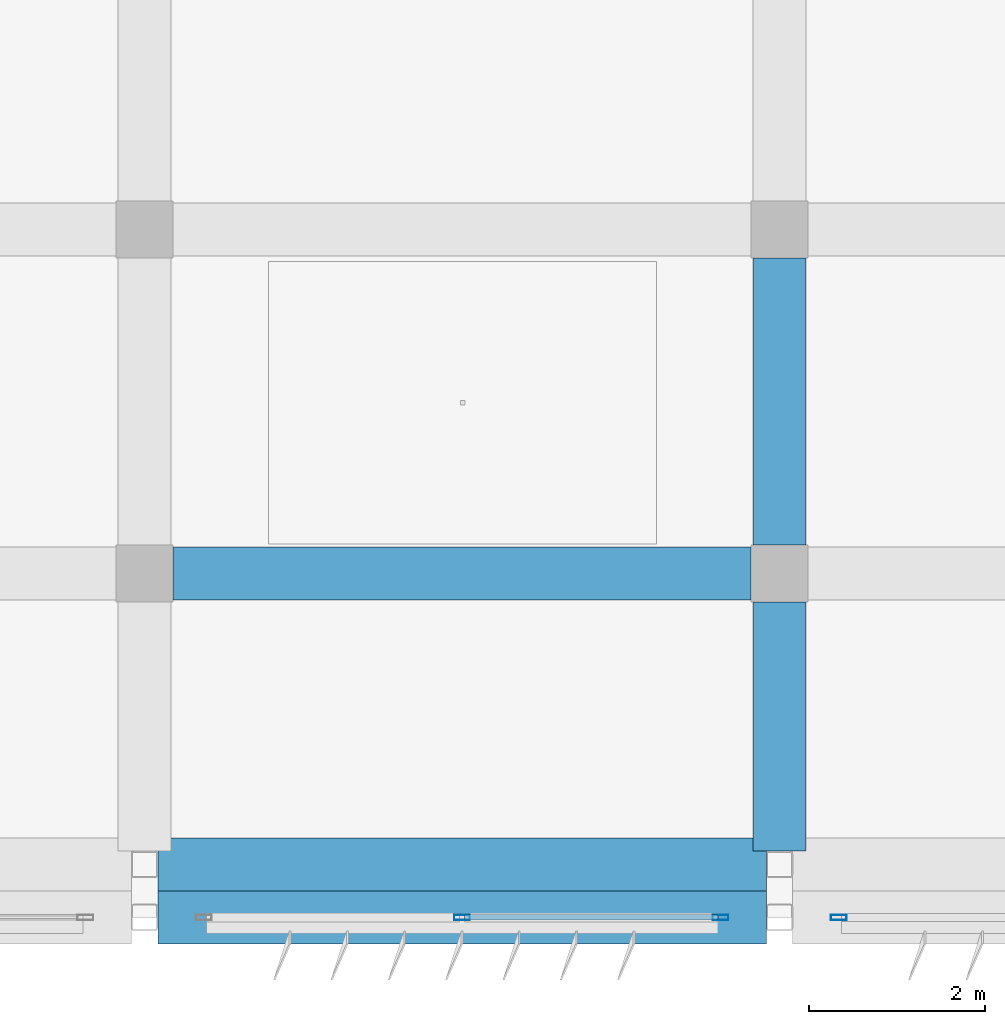
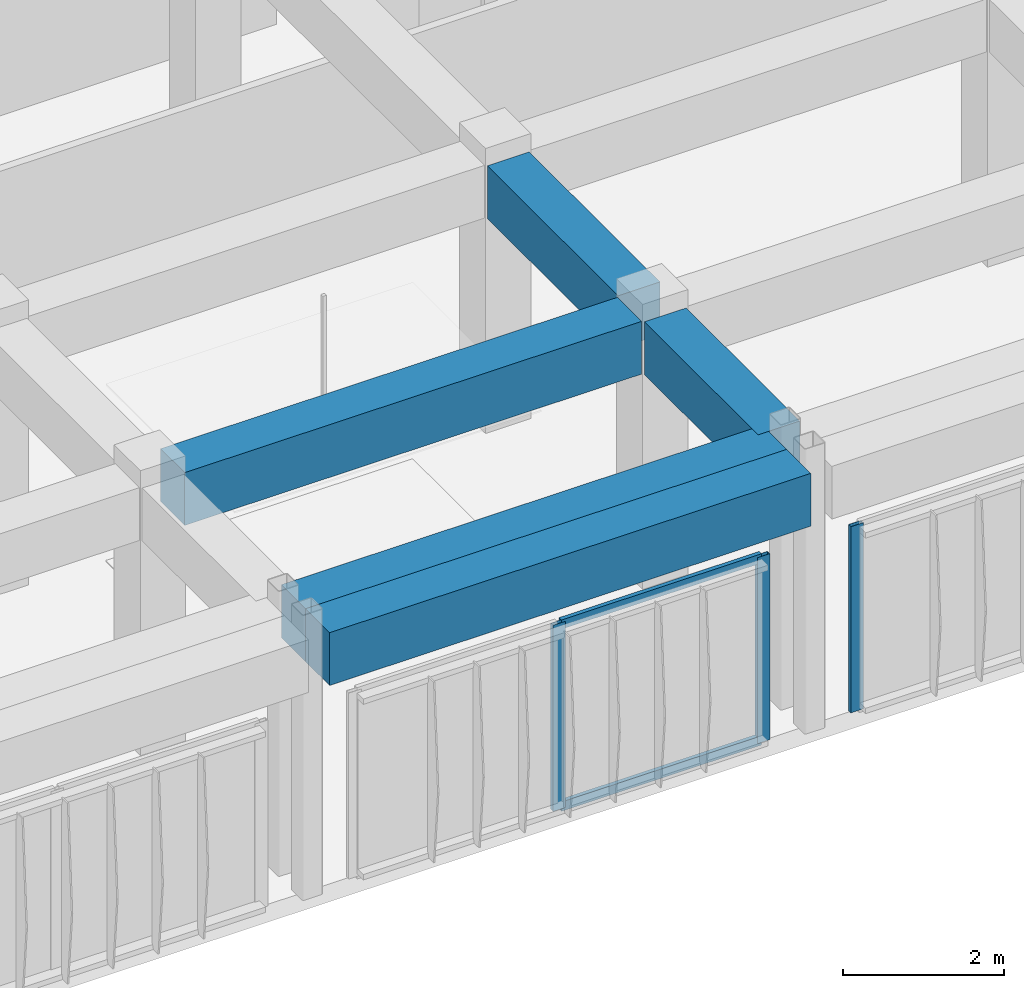
# One storey, part 4 of 53: 5 beams, 5 members, 2 elements without a shape of their own.
"""IFC4 building model written with IfcOpenShell, lengths in metres."""

from ifc_helpers import new_model, si_unit, direction, frame, origin, origin_2d, place, context, subcontext, project, spatial, rectangle, hollow_rectangle, extrude, material, material_profile, profile_set, type_object, element, aggregate, save


model = new_model("IFC4")

# Units and contexts
model_context = context("Model", 3, precision=1e-05, world=origin(), true_north=direction((0.0, 1.0)))
body_context = subcontext(model_context, "Body", "Model", "MODEL_VIEW")
ifc_project = project(units=[si_unit("LENGTHUNIT", "METRE"), si_unit("AREAUNIT", "SQUARE_METRE"), si_unit("VOLUMEUNIT", "CUBIC_METRE"), si_unit("PLANEANGLEUNIT", "RADIAN"), si_unit("MASSUNIT", "GRAM", prefix="KILO")], contexts=[model_context])

# Site, building, storey
site_placement = place(None, origin())
site = spatial("IfcSite", under=ifc_project, at=site_placement, CompositionType="ELEMENT")
building_placement = place(site_placement, origin())
building = spatial("IfcBuilding", under=site, at=building_placement, Name="Kazehaya Institute of Natural Sciences", CompositionType="ELEMENT")
storey_placement = place(building_placement, frame((0.0, 0.0, 33.300048828125)))
storey = spatial("IfcBuildingStorey", under=building, at=storey_placement, Name="L07", CompositionType="ELEMENT", Elevation=33.300048828125)

# Beams
ifc_material_1 = material(Name="Concrete Fc36", Category="concrete")
ifc_material_profile_1 = material_profile(ifc_material_1, rectangle(XDim=0.60009765625, YDim=0.800048828125, at=origin_2d()), Name="RC-600x800")
ifc_profile_set_1 = profile_set([ifc_material_profile_1], Name="Concrete Fc36")
beam_type = type_object("IfcBeamType", Name="BM-G-600x800", PredefinedType="BEAM", material=ifc_profile_set_1)
for number, where, z_axis, x_axis, name in (
    (1, (61.949951171875, 6.199951171875, 3.64990234375), (1.0, 0.0, 0.0), (0.0, 1.0, 0.0), "L07 primary X girder BMX-L07-618-62"),
    (2, (61.949951171875, 6.800048828125, 3.64990234375), (1.0, 0.0, 0.0), (0.0, 1.0, 0.0), "L07 primary X girder BMX-L07-618-68"),
):
    element("IfcBeam", number, at=place(storey_placement, frame(where, z_axis=z_axis, x_axis=x_axis)), inside=storey, type_object=beam_type, Name=name, PredefinedType="BEAM", context=body_context, shape_type="SweptSolid", body=[
        extrude(rectangle(XDim=0.60009765625, YDim=0.800048828125, at=origin_2d()), origin(), (0.0, 0.0, 1.0), 6.900146484375),
    ])
beam_1_placement = place(storey_placement, frame((62.125, 10.10009765625, 3.64990234375), z_axis=(1.0, 0.0, 0.0), x_axis=(0.0, 1.0, 0.0)))
element("IfcBeam", 3, at=beam_1_placement, inside=storey, type_object=beam_type, Name="L07 primary X girder BMX-L07-618-101", PredefinedType="BEAM", context=body_context, shape_type="SweptSolid", body=[
    extrude(rectangle(XDim=0.60009765625, YDim=0.800048828125, at=origin_2d()), origin(), (0.0, 0.0, 1.0), 6.550048828125),
])
beam_2_placement = place(storey_placement, frame((69.0, 6.949951171875, 3.64990234375), z_axis=(0.0, 1.0, 0.0), x_axis=(-1.0, 0.0, 0.0)))
element("IfcBeam", 4, at=beam_2_placement, inside=storey, type_object=beam_type, Name="L07 primary Y girder BMY-L07-690-68", PredefinedType="BEAM", context=body_context, shape_type="SweptSolid", body=[
    extrude(rectangle(XDim=0.60009765625, YDim=0.800048828125, at=origin_2d()), origin(), (0.0, 0.0, 1.0), 2.824951171875),
])
beam_3_placement = place(storey_placement, frame((69.0, 10.425048828125, 3.64990234375), z_axis=(0.0, 1.0, 0.0), x_axis=(-1.0, 0.0, 0.0)))
element("IfcBeam", 5, at=beam_3_placement, inside=storey, type_object=beam_type, Name="L07 primary Y girder BMY-L07-690-101", PredefinedType="BEAM", context=body_context, shape_type="SweptSolid", body=[
    extrude(rectangle(XDim=0.60009765625, YDim=0.800048828125, at=origin_2d()), origin(), (0.0, 0.0, 1.0), 3.25),
])

# Curtain wall, member
ifc_material_2 = material(Name="Aluminium alloy A6063S-T5", Category="aluminium")
curtain_wall_type = type_object("IfcCurtainWallType", Name="CW-SYS-05", PredefinedType="NOTDEFINED", material=ifc_material_2)
curtain_wall_1_placement = place(storey_placement, origin())
curtain_wall_1 = element("IfcCurtainWall", 6, at=curtain_wall_1_placement, inside=storey, type_object=curtain_wall_type, Name="L07 unitised curtain wall CW-L07-154", PredefinedType="NOTDEFINED")
ifc_material_profile_2 = material_profile(ifc_material_2, hollow_rectangle(XDim=0.06005859375, YDim=0.179931640625, WallThickness=0.00390625, at=origin_2d()), Name="ALU-60x180x4")
ifc_profile_set_2 = profile_set([ifc_material_profile_2], Name="Aluminium alloy A6063S-T5")
member_type_1 = type_object("IfcMemberType", Name="CWM-180", PredefinedType="MULLION", material=ifc_profile_set_2)
member_1_placement = place(storey_placement, frame((69.669921875, 6.199951171875, 0.0), z_axis=(0.0, 0.0, 1.0), x_axis=(0.0, -1.0, 0.0)))
member_1 = element("IfcMember", 7, at=member_1_placement, type_object=member_type_1, Name="CW05 mullion 3", PredefinedType="MULLION", context=body_context, shape_type="SweptSolid", body=[
    extrude(hollow_rectangle(XDim=0.06005859375, YDim=0.179931640625, WallThickness=0.00390625, at=origin_2d()), origin(), (0.0, 0.0, 1.0), 2.820068359375),
])
aggregate(curtain_wall_1, [member_1])

# Curtain wall, members
curtain_wall_2_placement = place(storey_placement, origin())
curtain_wall_2 = element("IfcCurtainWall", 8, at=curtain_wall_2_placement, inside=storey, type_object=curtain_wall_type, Name="L07 unitised curtain wall CW-L07-155", PredefinedType="NOTDEFINED")
member_2_placement = place(storey_placement, frame((68.330078125, 6.199951171875, 0.0), z_axis=(0.0, 0.0, 1.0), x_axis=(0.0, -1.0, 0.0)))
member_2 = element("IfcMember", 9, at=member_2_placement, type_object=member_type_1, Name="CW05 mullion 1", PredefinedType="MULLION", context=body_context, shape_type="SweptSolid", body=[
    extrude(hollow_rectangle(XDim=0.06005859375, YDim=0.179931640625, WallThickness=0.00390625, at=origin_2d()), origin(), (0.0, 0.0, 1.0), 2.820068359375),
])
member_3_placement = place(storey_placement, frame((65.39990234375, 6.199951171875, 0.0), z_axis=(0.0, 0.0, 1.0), x_axis=(0.0, -1.0, 0.0)))
member_3 = element("IfcMember", 10, at=member_3_placement, type_object=member_type_1, Name="CW05 mullion 2", PredefinedType="MULLION", context=body_context, shape_type="SweptSolid", body=[
    extrude(hollow_rectangle(XDim=0.06005859375, YDim=0.179931640625, WallThickness=0.00390625, at=origin_2d()), origin(), (0.0, 0.0, 1.0), 2.820068359375),
])
ifc_material_profile_3 = material_profile(ifc_material_2, hollow_rectangle(XDim=0.06005859375, YDim=0.139892578125, WallThickness=0.00341796875, at=origin_2d()), Name="ALU-60x140x3.5")
ifc_profile_set_3 = profile_set([ifc_material_profile_3], Name="Aluminium alloy A6063S-T5")
member_type_2 = type_object("IfcMemberType", Name="CWT-140", PredefinedType="USERDEFINED", material=ifc_profile_set_3)
member_4_placement = place(storey_placement, frame((68.300048828125, 6.199951171875, 0.030029296875), z_axis=(-1.0, 0.0, 0.0), x_axis=(0.0, -1.0, 0.0)))
member_4 = element("IfcMember", 11, at=member_4_placement, type_object=member_type_2, Name="CW05 transom 1.1", ObjectType="TRANSOM", PredefinedType="USERDEFINED", context=body_context, shape_type="SweptSolid", body=[
    extrude(hollow_rectangle(XDim=0.06005859375, YDim=0.139892578125, WallThickness=0.00341796875, at=origin_2d()), origin(), (0.0, 0.0, 1.0), 2.8701171875),
])
member_5_placement = place(storey_placement, frame((68.300048828125, 6.199951171875, 2.7900390625), z_axis=(-1.0, 0.0, 0.0), x_axis=(0.0, -1.0, 0.0)))
member_5 = element("IfcMember", 12, at=member_5_placement, type_object=member_type_2, Name="CW05 transom 1.2", ObjectType="TRANSOM", PredefinedType="USERDEFINED", context=body_context, shape_type="SweptSolid", body=[
    extrude(hollow_rectangle(XDim=0.06005859375, YDim=0.139892578125, WallThickness=0.00341796875, at=origin_2d()), origin(), (0.0, 0.0, 1.0), 2.8701171875),
])
aggregate(curtain_wall_2, [member_2, member_3, member_4, member_5])

save(model, "model.ifc")
